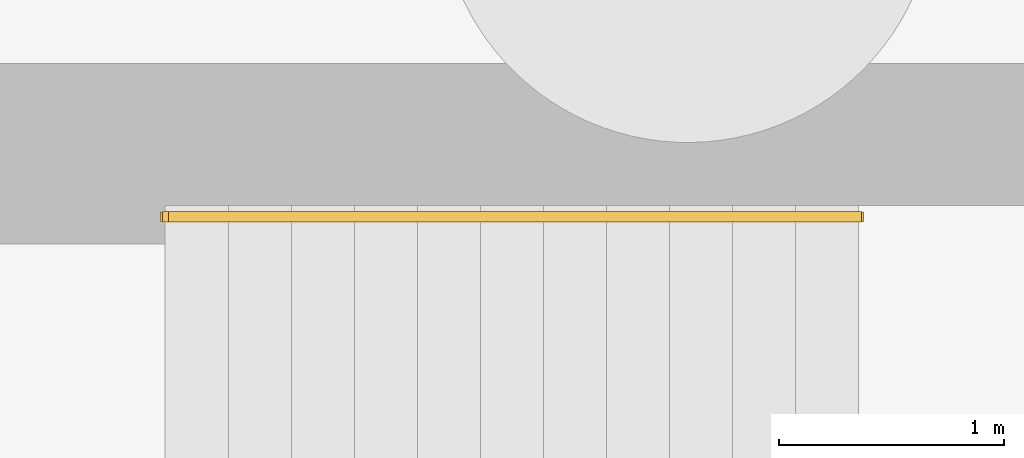
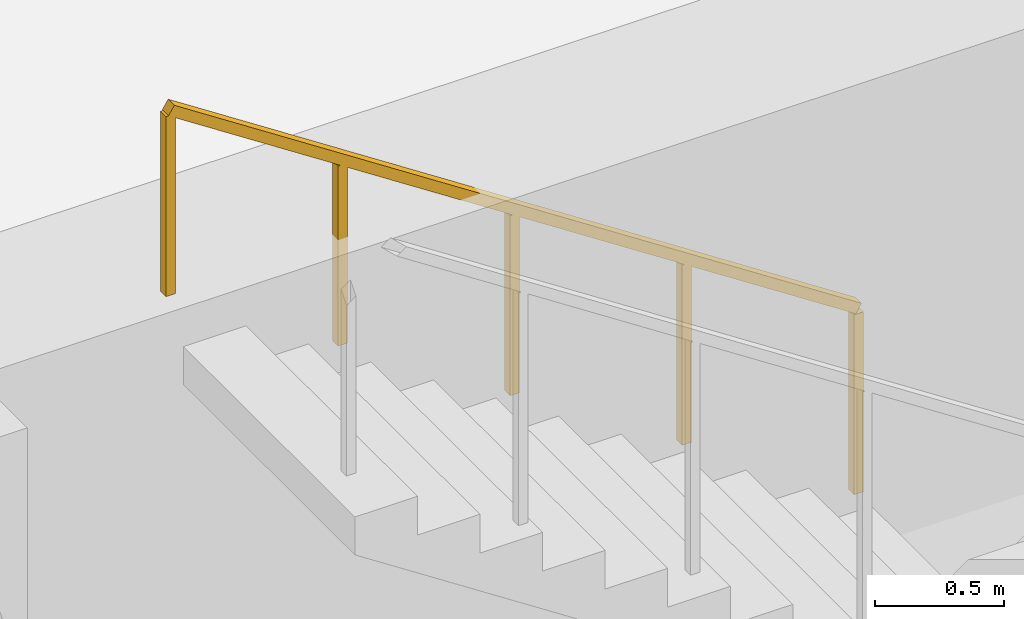
# One storey, part 8 of 9: 1 railing.
"""IFC4 building model written with IfcOpenShell, lengths in metres."""

from ifc_helpers import new_model, si_unit, direction, frame, origin, origin_2d, place, context, subcontext, project, spatial, rectangle, extrude, material, type_object, element, save


model = new_model("IFC4")

# Units and contexts
model_context = context("Model", 3, precision=1e-05, world=origin(), true_north=direction((0.0, 1.0)))
body_context = subcontext(model_context, "Body", "Model", "MODEL_VIEW")
ifc_project = project(units=[si_unit("LENGTHUNIT", "METRE"), si_unit("AREAUNIT", "SQUARE_METRE"), si_unit("VOLUMEUNIT", "CUBIC_METRE"), si_unit("PLANEANGLEUNIT", "RADIAN"), si_unit("MASSUNIT", "GRAM", prefix="KILO")], contexts=[model_context])

# Site, building, storey
site_placement = place(None, origin())
site = spatial("IfcSite", under=ifc_project, at=site_placement, CompositionType="ELEMENT")
building_placement = place(site_placement, origin())
building = spatial("IfcBuilding", under=site, at=building_placement, Name="Zarnavel Station Tower", CompositionType="ELEMENT")
storey_placement = place(building_placement, frame((0.0, 0.0, -13.199951171875)))
storey = spatial("IfcBuildingStorey", under=building, at=storey_placement, Name="B03", CompositionType="ELEMENT", Elevation=-13.199951171875)

# Railing
ifc_material = material(Name="Brushed Stainless Steel S355J2 Handrail", Category="steel")
railing_type = type_object("IfcRailingType", Name="HR_STAIR_900", PredefinedType="HANDRAIL", material=ifc_material)
railing_placement = place(storey_placement, frame((41.159912109375, 36.77001953125, 2.38330078125)))
element("IfcRailing", 1, at=railing_placement, inside=storey, type_object=railing_type, Name="B03 ST2 stair handrail 2", PredefinedType="HANDRAIL", context=body_context, shape_type="SweptSolid", body=[
    extrude(rectangle(XDim=0.048095703125, YDim=0.048095703125, at=origin_2d()), frame((-0.001708984375, 0.0, 0.876953125), z_axis=(-0.836613101238, 0.0, 0.547794230379), x_axis=(0.0, -1.0, 0.0)), (0.0, 0.0, 1.0), 3.67724609375),
    extrude(rectangle(XDim=0.0419921875, YDim=0.0419921875, at=origin_2d()), origin(), (0.0, 0.0, 1.0), 0.851806640625),
    extrude(rectangle(XDim=0.0419921875, YDim=0.0419921875, at=origin_2d()), frame((-0.77001953125, 0.0, 0.504150390625)), (0.0, 0.0, 1.0), 0.851806640625),
    extrude(rectangle(XDim=0.0419921875, YDim=0.0419921875, at=origin_2d()), frame((-1.5400390625, 0.0, 1.00830078125)), (0.0, 0.0, 1.0), 0.851806640625),
    extrude(rectangle(XDim=0.0419921875, YDim=0.0419921875, at=origin_2d()), frame((-2.309814453125, 0.0, 1.512451171875)), (0.0, 0.0, 1.0), 0.851806640625),
    extrude(rectangle(XDim=0.0419921875, YDim=0.0419921875, at=origin_2d()), frame((-3.079833984375, 0.0, 2.0166015625)), (0.0, 0.0, 1.0), 0.851806640625),
])

save(model, "model.ifc")
